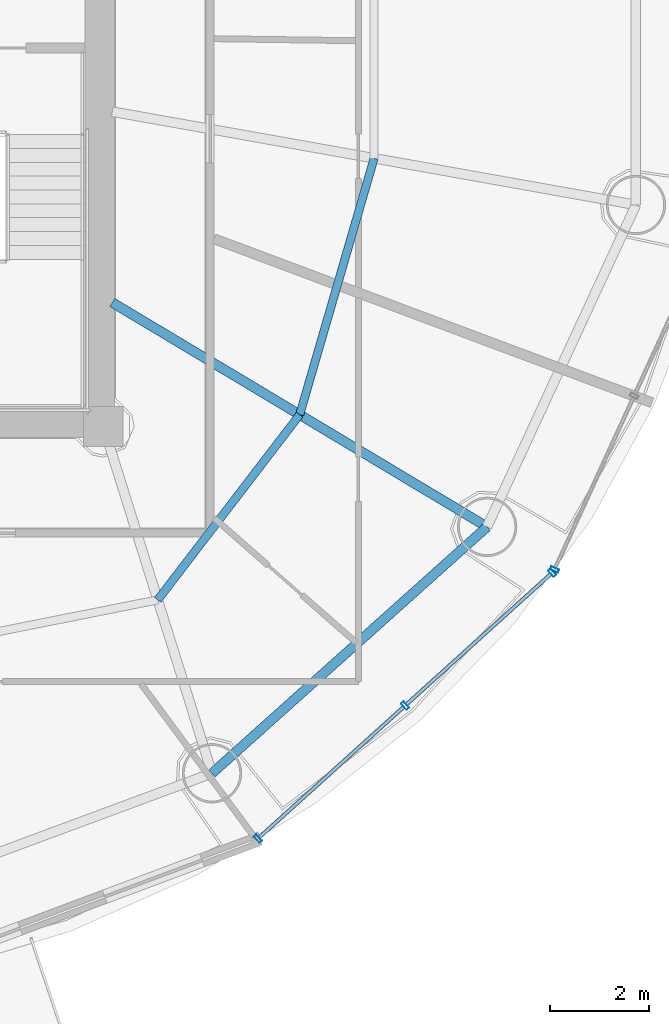
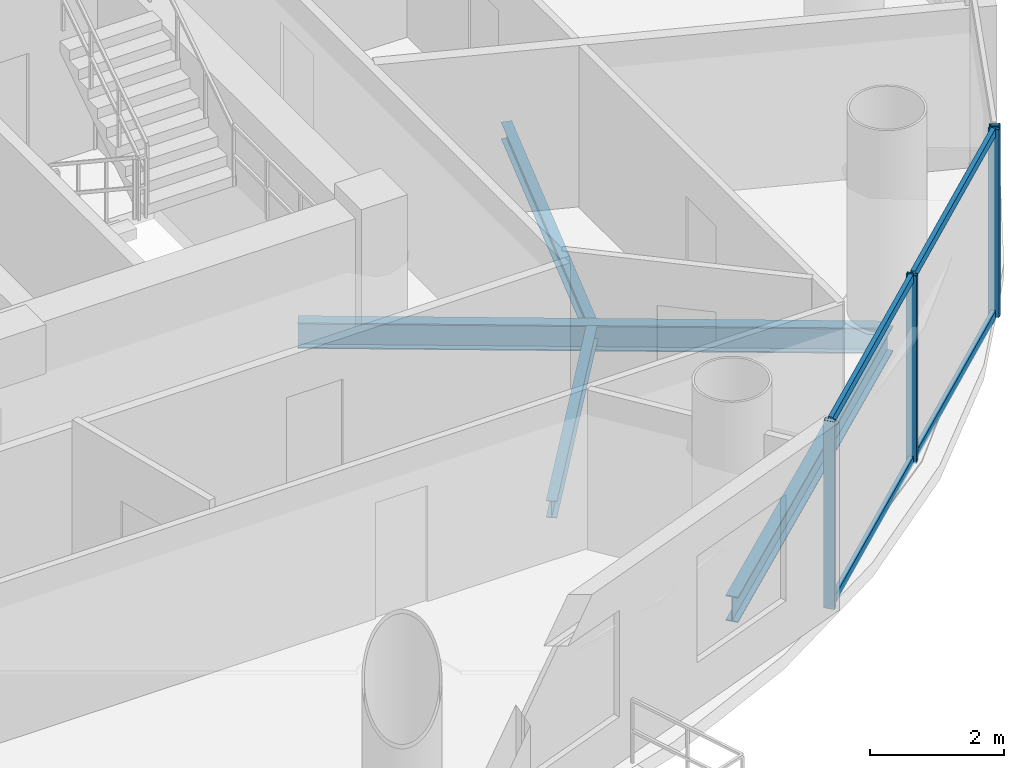
# One storey, part 10 of 26: 8 members, 4 beams, 2 elements without a shape of their own.
"""IFC4 building model written with IfcOpenShell, lengths in metres."""

from ifc_helpers import new_model, si_unit, direction, frame, origin, origin_2d, place, context, subcontext, project, spatial, hollow_rectangle, i_section, extrude, source, transform, mapped, material, material_profile, profile_set, type_object, element, aggregate, save


model = new_model("IFC4")

# Units and contexts
model_context = context("Model", 3, precision=1e-05, world=origin(), true_north=direction((-0.2419218956, 0.970295726276)))
body_context = subcontext(model_context, "Body", "Model", "MODEL_VIEW")
ifc_project = project(units=[si_unit("LENGTHUNIT", "METRE"), si_unit("AREAUNIT", "SQUARE_METRE"), si_unit("VOLUMEUNIT", "CUBIC_METRE"), si_unit("PLANEANGLEUNIT", "RADIAN"), si_unit("MASSUNIT", "GRAM", prefix="KILO")], contexts=[model_context])

# Site, building, storey
site_placement = place(None, origin())
site = spatial("IfcSite", under=ifc_project, at=site_placement, CompositionType="ELEMENT")
building_placement = place(site_placement, origin())
building = spatial("IfcBuilding", under=site, at=building_placement, Name="Cobrevalo Terracotta Tower", CompositionType="ELEMENT")
storey_placement = place(building_placement, frame((0.0, 0.0, 235.60009765625)))
storey = spatial("IfcBuildingStorey", under=building, at=storey_placement, Name="L62", CompositionType="ELEMENT", Elevation=235.60009765625)

# Beams
ifc_material_1 = material(Name="Steel S355", Category="steel")
ifc_material_profile_1 = material_profile(ifc_material_1, i_section(OverallWidth=0.194091796875, OverallDepth=0.468994140625, WebThickness=0.011474609375, FlangeThickness=0.0205078125, at=origin_2d()), Name="W 460x106")
ifc_profile_set_1 = profile_set([ifc_material_profile_1], Name="Steel S355")
beam_type_1 = type_object("IfcBeamType", Name="Structural Beam W 460x106 (Steel S355)", PredefinedType="BEAM", material=ifc_profile_set_1)
beam_1_placement = place(storey_placement, frame((54.754150390625, 16.77197265625, -0.49951171875), z_axis=(-0.858046392192, 0.513572184651, 0.0), x_axis=(-0.513572184651, -0.858046392192, 0.0)))
element("IfcBeam", 1, at=beam_1_placement, inside=storey, type_object=beam_type_1, Name="L62 radial floor girder 15", PredefinedType="BEAM", context=body_context, shape_type="SweptSolid", body=[
    extrude(i_section(OverallWidth=0.194091796875, OverallDepth=0.468994140625, WebThickness=0.011474609375, FlangeThickness=0.0205078125, at=origin_2d()), origin(), (0.0, 0.0, 1.0), 8.827392578125),
])
ifc_material_profile_2 = material_profile(ifc_material_1, i_section(OverallWidth=0.1650390625, OverallDepth=0.31005859375, WebThickness=0.005859375, FlangeThickness=0.009765625, at=origin_2d()), Name="W 310x38.7")
ifc_profile_set_2 = profile_set([ifc_material_profile_2], Name="Steel S355")
beam_type_2 = type_object("IfcBeamType", Name="Structural Joist W 310x38.7 (Steel S355)", PredefinedType="JOIST", material=ifc_profile_set_2)
beam_2_placement = place(storey_placement, frame((48.097412109375, 15.2958984375, -0.420166015625), z_axis=(0.608464146296, 0.793581364872, 0.0), x_axis=(-0.793581364872, 0.608464146296, 0.0)))
element("IfcBeam", 2, at=beam_2_placement, inside=storey, type_object=beam_type_2, Name="L62 circumferential secondary floor joist 14", PredefinedType="JOIST", context=body_context, shape_type="SweptSolid", body=[
    extrude(i_section(OverallWidth=0.1650390625, OverallDepth=0.31005859375, WebThickness=0.005859375, FlangeThickness=0.009765625, at=origin_2d()), origin(), (0.0, 0.0, 1.0), 4.716064453125),
])
beam_3_placement = place(storey_placement, frame((50.967041015625, 19.03857421875, -0.420166015625), z_axis=(0.278757705995, 0.960361463902, 0.0), x_axis=(-0.960361463902, 0.278757705995, 0.0)))
element("IfcBeam", 3, at=beam_3_placement, inside=storey, type_object=beam_type_2, Name="L62 circumferential secondary floor joist 15", PredefinedType="JOIST", context=body_context, shape_type="SweptSolid", body=[
    extrude(i_section(OverallWidth=0.1650390625, OverallDepth=0.31005859375, WebThickness=0.005859375, FlangeThickness=0.009765625, at=origin_2d()), origin(), (0.0, 0.0, 1.0), 5.396728515625),
])
ifc_material_profile_3 = material_profile(ifc_material_1, i_section(OverallWidth=0.194091796875, OverallDepth=0.468994140625, WebThickness=0.011474609375, FlangeThickness=0.0205078125, at=origin_2d()), Name="W 460x106")
ifc_profile_set_3 = profile_set([ifc_material_profile_3], Name="Steel S355")
beam_type_3 = type_object("IfcBeamType", Name="Structural Spandrel W 460x106 (Steel S355)", PredefinedType="SPANDREL", material=ifc_profile_set_3)
beam_4_placement = place(storey_placement, frame((49.19482421875, 11.7919921875, -0.49951171875), z_axis=(0.744851930997, 0.667229796165, 0.0), x_axis=(-0.667229796165, 0.744851930997, 0.0)))
element("IfcBeam", 4, at=beam_4_placement, inside=storey, type_object=beam_type_3, Name="L62 perimeter ring spandrel 14", PredefinedType="SPANDREL", context=body_context, shape_type="SweptSolid", body=[
    extrude(i_section(OverallWidth=0.194091796875, OverallDepth=0.468994140625, WebThickness=0.011474609375, FlangeThickness=0.0205078125, at=origin_2d()), origin(), (0.0, 0.0, 1.0), 7.463623046875),
])

# Curtain wall, members
ifc_material_2 = material(Name="Anodized aluminium", Category="aluminium")
curtain_wall_type = type_object("IfcCurtainWallType", Name="Mid-tower high-wind unitised curtain wall CW-U2", PredefinedType="NOTDEFINED", material=ifc_material_2)
curtain_wall_1_placement = place(storey_placement, origin())
curtain_wall_1 = element("IfcCurtainWall", 5, at=curtain_wall_1_placement, inside=storey, type_object=curtain_wall_type, Name="L62 curtain wall CW-L62-S14", PredefinedType="NOTDEFINED")
ifc_material_profile_4 = material_profile(ifc_material_2, hollow_rectangle(XDim=0.074951171875, YDim=0.14990234375, WallThickness=0.00439453125, at=origin_2d()), Name="CWT 75x150")
ifc_profile_set_4 = profile_set([ifc_material_profile_4], Name="Anodized aluminium")
member_type_1 = type_object("IfcMemberType", Name="Tower unitised aluminium transom 75x150", PredefinedType="USERDEFINED", material=ifc_profile_set_4)
shared_shape_1 = source(origin(), body_context, "Body", "SweptSolid", [
    extrude(hollow_rectangle(XDim=0.074951171875, YDim=0.14990234375, WallThickness=0.00439453125, at=origin_2d()), origin(), (0.0, 0.0, 1.0), 3.927490234375),
])
member_1_placement = place(storey_placement, frame((53.127685546875, 13.185302734375, 0.0498046875), z_axis=(0.741975952623, 0.670426495396, 0.0), x_axis=(-0.670426495396, 0.741975952623, 0.0)))
member_1 = element("IfcMember", 6, at=member_1_placement, type_object=member_type_1, Name="CW-L62-S14 transom B02-T1", ObjectType="TRANSOM", PredefinedType="USERDEFINED", context=body_context, shape_type="MappedRepresentation", body=[
    mapped(shared_shape_1, transform((0.0, 0.0, 0.0), scale=1.0)),
])
member_2_placement = place(storey_placement, frame((53.127685546875, 13.185302734375, 3.385009765625), z_axis=(0.741975952623, 0.670426495396, 0.0), x_axis=(-0.670426495396, 0.741975952623, 0.0)))
member_2 = element("IfcMember", 7, at=member_2_placement, type_object=member_type_1, Name="CW-L62-S14 transom B02-T2", ObjectType="TRANSOM", PredefinedType="USERDEFINED", context=body_context, shape_type="MappedRepresentation", body=[
    mapped(shared_shape_1, transform((0.0, 0.0, 0.0), scale=1.0)),
])
shared_shape_2 = source(origin(), body_context, "Body", "SweptSolid", [
    extrude(hollow_rectangle(XDim=0.074951171875, YDim=0.14990234375, WallThickness=0.00439453125, at=origin_2d()), origin(), (0.0, 0.0, 1.0), 3.927734375),
])
member_3_placement = place(storey_placement, frame((50.154052734375, 10.49853515625, 0.0498046875), z_axis=(0.742003891138, 0.670395573923, 0.0), x_axis=(-0.670395573923, 0.742003891138, 0.0)))
member_3 = element("IfcMember", 8, at=member_3_placement, type_object=member_type_1, Name="CW-L62-S14 transom B01-T1", ObjectType="TRANSOM", PredefinedType="USERDEFINED", context=body_context, shape_type="MappedRepresentation", body=[
    mapped(shared_shape_2, transform((0.0, 0.0, 0.0), scale=1.0)),
])
member_4_placement = place(storey_placement, frame((50.154052734375, 10.49853515625, 3.385009765625), z_axis=(0.742003891138, 0.670395573923, 0.0), x_axis=(-0.670395573923, 0.742003891138, 0.0)))
member_4 = element("IfcMember", 9, at=member_4_placement, type_object=member_type_1, Name="CW-L62-S14 transom B01-T2", ObjectType="TRANSOM", PredefinedType="USERDEFINED", context=body_context, shape_type="MappedRepresentation", body=[
    mapped(shared_shape_2, transform((0.0, 0.0, 0.0), scale=1.0)),
])
ifc_material_profile_5 = material_profile(ifc_material_2, hollow_rectangle(XDim=0.070068359375, YDim=0.169921875, WallThickness=0.00439453125, at=origin_2d()), Name="CWM 70x170")
ifc_profile_set_5 = profile_set([ifc_material_profile_5], Name="Anodized aluminium")
member_type_2 = type_object("IfcMemberType", Name="Upper tower unitised mullion 70x170", PredefinedType="MULLION", material=ifc_profile_set_5)
shared_shape_3 = source(origin(), body_context, "Body", "SweptSolid", [
    extrude(hollow_rectangle(XDim=0.070068359375, YDim=0.169921875, WallThickness=0.00439453125, at=origin_2d()), origin(), (0.0, 0.0, 1.0), 3.434814453125),
])
member_5_placement = place(storey_placement, frame((50.12451171875, 10.471923828125, 0.0), z_axis=(0.0, 0.0, 1.0), x_axis=(0.741987542015, 0.670413668935, 0.0)))
member_5 = element("IfcMember", 10, at=member_5_placement, type_object=member_type_2, Name="CW-L62-S14 vertical mullion 01", PredefinedType="MULLION", context=body_context, shape_type="MappedRepresentation", body=[
    mapped(shared_shape_3, transform((0.0, 0.0, 0.0), scale=1.0)),
])
member_6_placement = place(storey_placement, frame((53.097900390625, 13.158447265625, 0.0), z_axis=(0.0, 0.0, 1.0), x_axis=(0.741987542015, 0.670413668935, 0.0)))
member_6 = element("IfcMember", 11, at=member_6_placement, type_object=member_type_2, Name="CW-L62-S14 vertical mullion 02", PredefinedType="MULLION", context=body_context, shape_type="MappedRepresentation", body=[
    mapped(shared_shape_3, transform((0.0, 0.0, 0.0), scale=1.0)),
])
member_7_placement = place(storey_placement, frame((56.071533203125, 15.84521484375, 0.0), z_axis=(0.0, 0.0, 1.0), x_axis=(0.741987542015, 0.670413668935, 0.0)))
member_7 = element("IfcMember", 12, at=member_7_placement, type_object=member_type_2, Name="CW-L62-S14 vertical mullion 03", PredefinedType="MULLION", context=body_context, shape_type="MappedRepresentation", body=[
    mapped(shared_shape_3, transform((0.0, 0.0, 0.0), scale=1.0)),
])
aggregate(curtain_wall_1, [member_5, member_6, member_7, member_3, member_4, member_1, member_2])

# Curtain wall, member
curtain_wall_2_placement = place(storey_placement, origin())
curtain_wall_2 = element("IfcCurtainWall", 13, at=curtain_wall_2_placement, inside=storey, type_object=curtain_wall_type, Name="L62 curtain wall CW-L62-S15", PredefinedType="NOTDEFINED")
member_8_placement = place(storey_placement, frame((56.11767578125, 15.908203125, 0.0), z_axis=(0.0, 0.0, 1.0), x_axis=(0.41672507912, 0.909032567311, 0.0)))
member_8 = element("IfcMember", 14, at=member_8_placement, type_object=member_type_2, Name="CW-L62-S15 vertical mullion 01", PredefinedType="MULLION", context=body_context, shape_type="MappedRepresentation", body=[
    mapped(shared_shape_3, transform((0.0, 0.0, 0.0), scale=1.0)),
])
aggregate(curtain_wall_2, [member_8])

save(model, "model.ifc")
